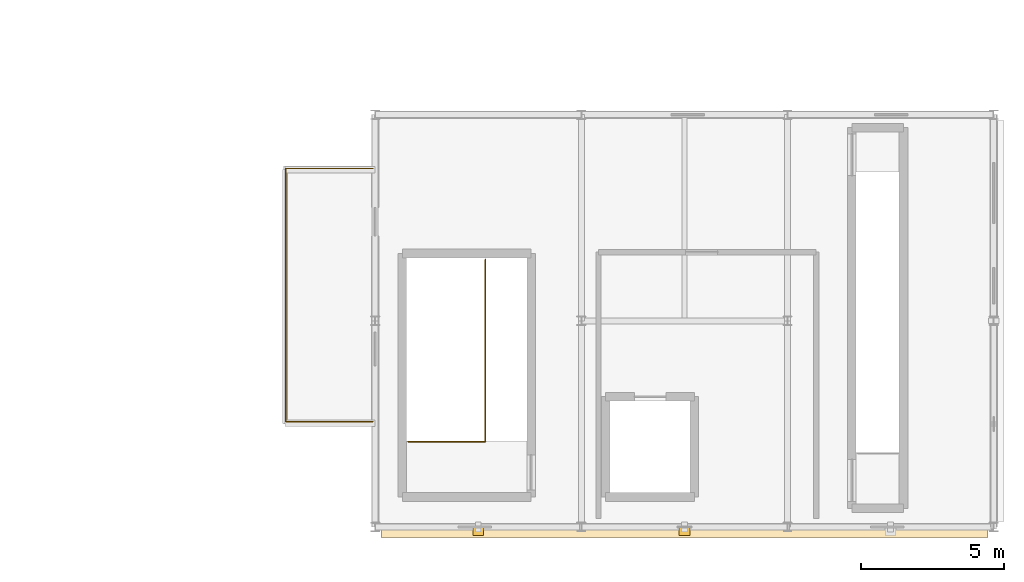
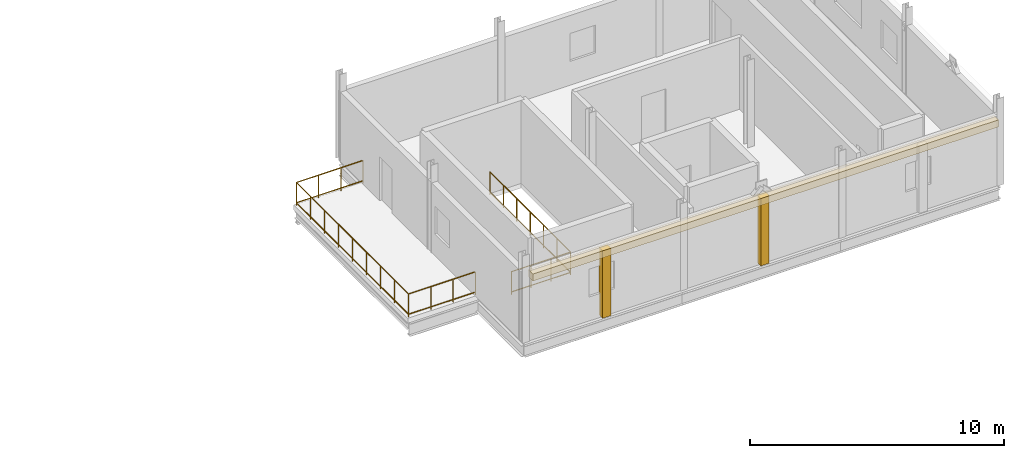
# One storey, part 26 of 28: 3 coverings, 2 railings.
"""IFC4 building model written with IfcOpenShell, lengths in metres."""

from ifc_helpers import new_model, si_unit, direction, frame, origin, origin_2d, place, context, subcontext, project, spatial, rectangle, circle, extrude, material, layer, layer_set, type_object, element, save


model = new_model("IFC4")

# Units and contexts
model_context = context("Model", 3, precision=1e-05, world=origin(), true_north=direction((0.0, 1.0)))
body_context = subcontext(model_context, "Body", "Model", "MODEL_VIEW")
ifc_project = project(units=[si_unit("LENGTHUNIT", "METRE"), si_unit("AREAUNIT", "SQUARE_METRE"), si_unit("VOLUMEUNIT", "CUBIC_METRE"), si_unit("PLANEANGLEUNIT", "RADIAN"), si_unit("MASSUNIT", "GRAM", prefix="KILO")], contexts=[model_context])

# Site, building, storey
site_placement = place(None, origin())
site = spatial("IfcSite", under=ifc_project, at=site_placement, CompositionType="ELEMENT")
building_placement = place(site_placement, origin())
building = spatial("IfcBuilding", under=site, at=building_placement, Name="Yarey Park Central Fire Station", CompositionType="ELEMENT")
storey_placement = place(building_placement, frame((0.0, 0.0, 22.199951171875)))
storey = spatial("IfcBuildingStorey", under=building, at=storey_placement, Name="L06", CompositionType="ELEMENT", Elevation=22.199951171875)

# Coverings
ifc_material_1 = material(Name="Honed Coral-Limestone Cladding", Category="masonry")
ifc_layer_1 = layer(ifc_material_1, 0.044921875)
ifc_layer_set_1 = layer_set([ifc_layer_1], Name="Honed Coral-Limestone Cladding")
covering_type_1 = type_object("IfcCoveringType", Name="ENV_COV_CLAD_1", PredefinedType="CLADDING", material=ifc_layer_set_1)
covering_placement = place(storey_placement, frame((154.800048828125, -0.179931640625, 3.0), z_axis=(0.0, 0.0, 1.0), x_axis=(1.0, 0.0, 0.0)))
element("IfcCovering", 1, at=covering_placement, inside=storey, type_object=covering_type_1, Name="FIN_L06_DTS_HOOD", PredefinedType="CLADDING", context=body_context, shape_type="SweptSolid", body=[
    extrude(rectangle(XDim=21.199951171875, YDim=0.360107421875, at=origin_2d()), origin(), (0.0, 0.0, 1.0), 0.340087890625),
])
ifc_layer_2 = layer(ifc_material_1, 0.06005859375)
ifc_layer_set_2 = layer_set([ifc_layer_2], Name="Honed Coral-Limestone Cladding")
covering_type_2 = type_object("IfcCoveringType", Name="ENV_COV_CLAD_2", PredefinedType="CLADDING", material=ifc_layer_set_2)
for number, where, z_axis, x_axis, name in (
    (2, (147.60009765625, -0.159912109375, 0.050048828125), (0.0, 0.0, 1.0), (1.0, 0.0, 0.0), "FIN_L06_DTS_PIL_1"),
    (3, (154.800048828125, -0.159912109375, 0.050048828125), (0.0, 0.0, 1.0), (1.0, 0.0, 0.0), "FIN_L06_DTS_PIL_2"),
):
    element("IfcCovering", number, at=place(storey_placement, frame(where, z_axis=z_axis, x_axis=x_axis)), inside=storey, type_object=covering_type_2, Name=name, PredefinedType="CLADDING", context=body_context, shape_type="SweptSolid", body=[
        extrude(rectangle(XDim=0.3798828125, YDim=0.280029296875, at=origin_2d()), origin(), (0.0, 0.0, 1.0), 3.25),
    ])

# Railings
ifc_material_2 = material(Name="Stainless Steel AISI 316L", Category="steel")
railing_type_1 = type_object("IfcRailingType", Name="EXT_RAIL_GUARD112", PredefinedType="BALUSTRADE", material=ifc_material_2)
railing_1_placement = place(storey_placement, frame((143.919921875, 3.679931640625, 0.0)))
element("IfcRailing", 4, at=railing_1_placement, inside=storey, type_object=railing_type_1, Name="GRD_EXT_L06_DT_BALC", PredefinedType="BALUSTRADE", context=body_context, shape_type="SweptSolid", body=[
    extrude(circle(Radius=0.02392578125, at=origin_2d()), frame((0.0, 0.0, 1.09619140625), z_axis=(-1.0, 0.0, 0.0), x_axis=(0.0, -1.0, 0.0)), (0.0, 0.0, 1.0), 3.0400390625),
    extrude(circle(Radius=0.02392578125, at=origin_2d()), frame((0.0, 0.0, 0.1201171875), z_axis=(-1.0, 0.0, 0.0), x_axis=(0.0, -1.0, 0.0)), (0.0, 0.0, 1.0), 3.0400390625),
    extrude(circle(Radius=0.02392578125, at=origin_2d()), frame((-3.0400390625, 0.0, 1.09619140625), z_axis=(0.0, 1.0, 0.0), x_axis=(-1.0, 0.0, 0.0)), (0.0, 0.0, 1.0), 8.840087890625),
    extrude(circle(Radius=0.02392578125, at=origin_2d()), frame((-3.0400390625, 0.0, 0.1201171875), z_axis=(0.0, 1.0, 0.0), x_axis=(-1.0, 0.0, 0.0)), (0.0, 0.0, 1.0), 8.840087890625),
    extrude(circle(Radius=0.02392578125, at=origin_2d()), frame((-3.0400390625, 8.840087890625, 1.09619140625), z_axis=(1.0, 0.0, 0.0), x_axis=(0.0, 1.0, 0.0)), (0.0, 0.0, 1.0), 3.0400390625),
    extrude(circle(Radius=0.02392578125, at=origin_2d()), frame((-3.0400390625, 8.840087890625, 0.1201171875), z_axis=(1.0, 0.0, 0.0), x_axis=(0.0, 1.0, 0.0)), (0.0, 0.0, 1.0), 3.0400390625),
    extrude(circle(Radius=0.02099609375, at=origin_2d()), origin(), (0.0, 0.0, 1.0), 1.072021484375),
    extrude(circle(Radius=0.02099609375, at=origin_2d()), frame((-1.013427734375, 0.0, 0.0)), (0.0, 0.0, 1.0), 1.072021484375),
    extrude(circle(Radius=0.02099609375, at=origin_2d()), frame((-2.026611328125, 0.0, 0.0)), (0.0, 0.0, 1.0), 1.072021484375),
    extrude(circle(Radius=0.02099609375, at=origin_2d()), frame((-3.0400390625, 0.0, 0.0)), (0.0, 0.0, 1.0), 1.072021484375),
    extrude(circle(Radius=0.02099609375, at=origin_2d()), frame((-3.0400390625, 1.10498046875, 0.0)), (0.0, 0.0, 1.0), 1.072021484375),
    extrude(circle(Radius=0.02099609375, at=origin_2d()), frame((-3.0400390625, 2.2099609375, 0.0)), (0.0, 0.0, 1.0), 1.072021484375),
    extrude(circle(Radius=0.02099609375, at=origin_2d()), frame((-3.0400390625, 3.31494140625, 0.0)), (0.0, 0.0, 1.0), 1.072021484375),
    extrude(circle(Radius=0.02099609375, at=origin_2d()), frame((-3.0400390625, 4.419921875, 0.0)), (0.0, 0.0, 1.0), 1.072021484375),
    extrude(circle(Radius=0.02099609375, at=origin_2d()), frame((-3.0400390625, 5.525146484375, 0.0)), (0.0, 0.0, 1.0), 1.072021484375),
    extrude(circle(Radius=0.02099609375, at=origin_2d()), frame((-3.0400390625, 6.630126953125, 0.0)), (0.0, 0.0, 1.0), 1.072021484375),
    extrude(circle(Radius=0.02099609375, at=origin_2d()), frame((-3.0400390625, 7.735107421875, 0.0)), (0.0, 0.0, 1.0), 1.072021484375),
    extrude(circle(Radius=0.02099609375, at=origin_2d()), frame((-3.0400390625, 8.840087890625, 0.0)), (0.0, 0.0, 1.0), 1.072021484375),
    extrude(circle(Radius=0.02099609375, at=origin_2d()), frame((-2.026611328125, 8.840087890625, 0.0)), (0.0, 0.0, 1.0), 1.072021484375),
    extrude(circle(Radius=0.02099609375, at=origin_2d()), frame((-1.013427734375, 8.840087890625, 0.0)), (0.0, 0.0, 1.0), 1.072021484375),
    extrude(circle(Radius=0.02099609375, at=origin_2d()), frame((0.0, 8.840087890625, 0.0)), (0.0, 0.0, 1.0), 1.072021484375),
])
ifc_material_3 = material(Name="Galvanized Steel Balustrade", Category="steel")
railing_type_2 = type_object("IfcRailingType", Name="INT_RAIL_GUARD112", PredefinedType="BALUSTRADE", material=ifc_material_3)
railing_2_placement = place(storey_placement, frame((145.14990234375, 2.97998046875, 0.0)))
element("IfcRailing", 5, at=railing_2_placement, inside=storey, type_object=railing_type_2, Name="GRD_C5_L06_TOPWELL", PredefinedType="BALUSTRADE", context=body_context, shape_type="SweptSolid", body=[
    extrude(circle(Radius=0.02392578125, at=origin_2d()), frame((0.0, 0.0, 1.09619140625), z_axis=(1.0, 0.0, 0.0), x_axis=(0.0, 1.0, 0.0)), (0.0, 0.0, 1.0), 2.7001953125),
    extrude(circle(Radius=0.02392578125, at=origin_2d()), frame((0.0, 0.0, 0.1201171875), z_axis=(1.0, 0.0, 0.0), x_axis=(0.0, 1.0, 0.0)), (0.0, 0.0, 1.0), 2.7001953125),
    extrude(circle(Radius=0.02392578125, at=origin_2d()), frame((2.7001953125, 0.0, 1.09619140625), z_axis=(0.0, 1.0, 0.0), x_axis=(-1.0, 0.0, 0.0)), (0.0, 0.0, 1.0), 6.3701171875),
    extrude(circle(Radius=0.02392578125, at=origin_2d()), frame((2.7001953125, 0.0, 0.1201171875), z_axis=(0.0, 1.0, 0.0), x_axis=(-1.0, 0.0, 0.0)), (0.0, 0.0, 1.0), 6.3701171875),
    extrude(circle(Radius=0.02099609375, at=origin_2d()), origin(), (0.0, 0.0, 1.0), 1.072021484375),
    extrude(circle(Radius=0.02099609375, at=origin_2d()), frame((0.900146484375, 0.0, 0.0)), (0.0, 0.0, 1.0), 1.072021484375),
    extrude(circle(Radius=0.02099609375, at=origin_2d()), frame((1.800048828125, 0.0, 0.0)), (0.0, 0.0, 1.0), 1.072021484375),
    extrude(circle(Radius=0.02099609375, at=origin_2d()), frame((2.7001953125, 0.0, 0.0)), (0.0, 0.0, 1.0), 1.072021484375),
    extrude(circle(Radius=0.02099609375, at=origin_2d()), frame((2.7001953125, 1.061767578125, 0.0)), (0.0, 0.0, 1.0), 1.072021484375),
    extrude(circle(Radius=0.02099609375, at=origin_2d()), frame((2.7001953125, 2.123291015625, 0.0)), (0.0, 0.0, 1.0), 1.072021484375),
    extrude(circle(Radius=0.02099609375, at=origin_2d()), frame((2.7001953125, 3.18505859375, 0.0)), (0.0, 0.0, 1.0), 1.072021484375),
    extrude(circle(Radius=0.02099609375, at=origin_2d()), frame((2.7001953125, 4.246826171875, 0.0)), (0.0, 0.0, 1.0), 1.072021484375),
    extrude(circle(Radius=0.02099609375, at=origin_2d()), frame((2.7001953125, 5.308349609375, 0.0)), (0.0, 0.0, 1.0), 1.072021484375),
    extrude(circle(Radius=0.02099609375, at=origin_2d()), frame((2.7001953125, 6.3701171875, 0.0)), (0.0, 0.0, 1.0), 1.072021484375),
])

save(model, "model.ifc")
